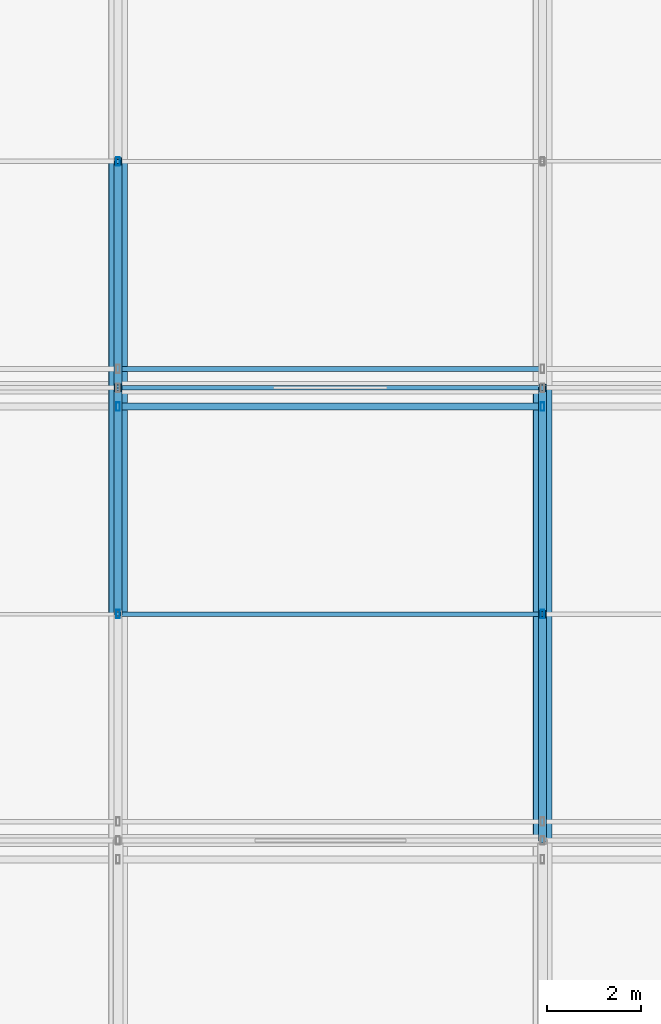
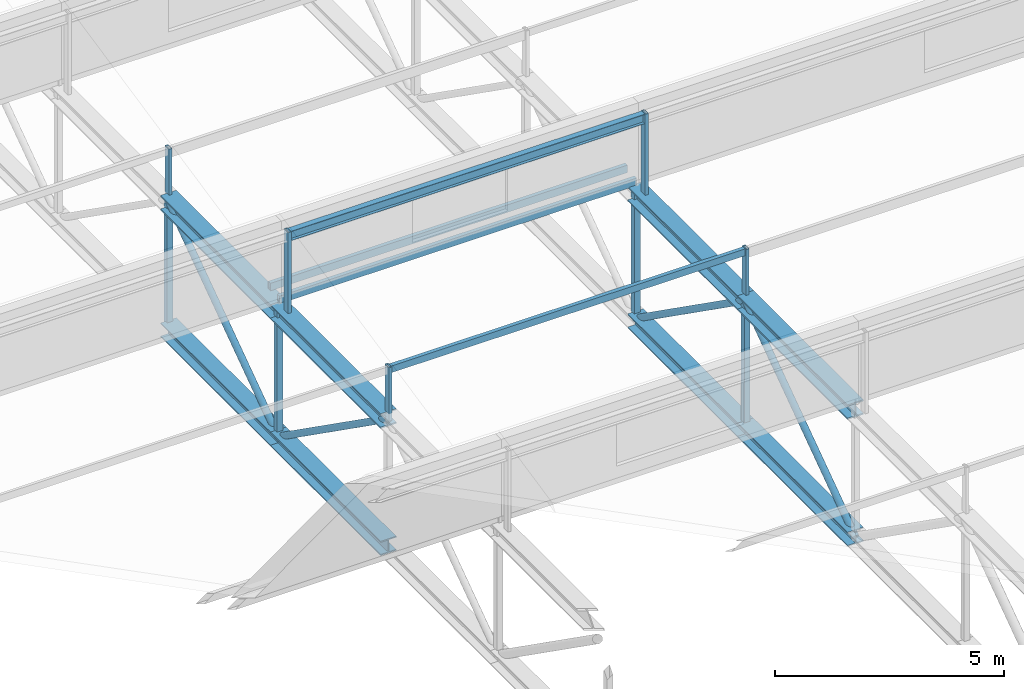
# One storey, part 24 of 136: 17 members, 8 beams.
"""IFC4 building model written with IfcOpenShell, lengths in metres."""

from ifc_helpers import new_model, si_unit, direction, frame, origin, origin_2d, place, context, subcontext, project, spatial, hollow_rectangle, hollow_circle, i_section, extrude, material, material_profile, profile_set, type_object, element, save


model = new_model("IFC4")

# Units and contexts
model_context = context("Model", 3, precision=1e-05, world=origin(), true_north=direction((0.0, 1.0)))
body_context = subcontext(model_context, "Body", "Model", "MODEL_VIEW")
ifc_project = project(units=[si_unit("LENGTHUNIT", "METRE"), si_unit("AREAUNIT", "SQUARE_METRE"), si_unit("VOLUMEUNIT", "CUBIC_METRE"), si_unit("PLANEANGLEUNIT", "RADIAN"), si_unit("MASSUNIT", "GRAM", prefix="KILO")], contexts=[model_context])

# Site, building, storey
site_placement = place(None, origin())
site = spatial("IfcSite", under=ifc_project, at=site_placement, CompositionType="ELEMENT")
building_placement = place(site_placement, origin())
building = spatial("IfcBuilding", under=site, at=building_placement, Name="Kisiwana Market Hall", CompositionType="ELEMENT")
storey_placement = place(building_placement, frame((0.0, 0.0, 16.800048828125)))
storey = spatial("IfcBuildingStorey", under=building, at=storey_placement, Name="L03", CompositionType="ELEMENT", Elevation=16.800048828125)

# Beams
ifc_material_1 = material(Name="Steel S355", Category="steel")
ifc_material_profile_1 = material_profile(ifc_material_1, i_section(OverallWidth=0.394775390625, OverallDepth=0.381103515625, WebThickness=0.018310546875, FlangeThickness=0.0302734375, at=origin_2d()), Name="UC 356x406x235")
ifc_profile_set_1 = profile_set([ifc_material_profile_1], Name="Steel S355")
beam_type_1 = type_object("IfcBeamType", Name="BM-TRUSS-BOT", PredefinedType="USERDEFINED", material=ifc_profile_set_1)
for number, where, z_axis, x_axis, name in (
    (1, (81.0, 50.39990234375, 0.22998046875), (0.0, 1.0, 0.0), (-1.0, 0.0, 0.0), "TR-03 BC panel 4 B-1221"),
    (2, (81.0, 55.199951171875, 0.22998046875), (0.0, 1.0, 0.0), (-1.0, 0.0, 0.0), "TR-03 BC panel 5 B-1222"),
):
    element("IfcBeam", number, at=place(storey_placement, frame(where, z_axis=z_axis, x_axis=x_axis)), inside=storey, type_object=beam_type_1, Name=name, ObjectType="ROOF TRUSS", PredefinedType="USERDEFINED", context=body_context, shape_type="SweptSolid", body=[
        extrude(i_section(OverallWidth=0.394775390625, OverallDepth=0.381103515625, WebThickness=0.018310546875, FlangeThickness=0.0302734375, at=origin_2d()), origin(), (0.0, 0.0, 1.0), 4.800048828125),
    ])
beam_1_placement = place(storey_placement, frame((90.0, 45.60009765625, 0.22998046875), z_axis=(0.0, 1.0, 0.0), x_axis=(-1.0, 0.0, 0.0)))
element("IfcBeam", 3, at=beam_1_placement, inside=storey, type_object=beam_type_1, Name="TR-04 BC panel 3 B-1240", ObjectType="ROOF TRUSS", PredefinedType="USERDEFINED", context=body_context, shape_type="SweptSolid", body=[
    extrude(i_section(OverallWidth=0.394775390625, OverallDepth=0.381103515625, WebThickness=0.018310546875, FlangeThickness=0.0302734375, at=origin_2d()), origin(), (0.0, 0.0, 1.0), 4.7998046875),
])
beam_2_placement = place(storey_placement, frame((90.0, 50.39990234375, 0.22998046875), z_axis=(0.0, 1.0, 0.0), x_axis=(-1.0, 0.0, 0.0)))
element("IfcBeam", 4, at=beam_2_placement, inside=storey, type_object=beam_type_1, Name="TR-04 BC panel 4 B-1241", ObjectType="ROOF TRUSS", PredefinedType="USERDEFINED", context=body_context, shape_type="SweptSolid", body=[
    extrude(i_section(OverallWidth=0.394775390625, OverallDepth=0.381103515625, WebThickness=0.018310546875, FlangeThickness=0.0302734375, at=origin_2d()), origin(), (0.0, 0.0, 1.0), 4.800048828125),
])
ifc_material_2 = material(Name="Steel S355", Category="steel")
ifc_material_profile_2 = material_profile(ifc_material_2, i_section(OverallWidth=0.39892578125, OverallDepth=0.3935546875, WebThickness=0.022705078125, FlangeThickness=0.03662109375, at=origin_2d()), Name="UC 356x406x287")
ifc_profile_set_2 = profile_set([ifc_material_profile_2], Name="Steel S355")
beam_type_2 = type_object("IfcBeamType", Name="BM-TRUSS-TOP", PredefinedType="USERDEFINED", material=ifc_profile_set_2)
for number, where, z_axis, x_axis, name in (
    (5, (81.0, 50.39990234375, 3.619873046875), (0.0, 1.0, 0.0), (-1.0, 0.0, 0.0), "TR-03 TC panel 4 B-1231"),
    (6, (81.0, 55.199951171875, 3.619873046875), (0.0, 1.0, 0.0), (-1.0, 0.0, 0.0), "TR-03 TC panel 5 B-1232"),
):
    element("IfcBeam", number, at=place(storey_placement, frame(where, z_axis=z_axis, x_axis=x_axis)), inside=storey, type_object=beam_type_2, Name=name, ObjectType="ROOF TRUSS", PredefinedType="USERDEFINED", context=body_context, shape_type="SweptSolid", body=[
        extrude(i_section(OverallWidth=0.39892578125, OverallDepth=0.3935546875, WebThickness=0.022705078125, FlangeThickness=0.03662109375, at=origin_2d()), origin(), (0.0, 0.0, 1.0), 4.800048828125),
    ])
beam_3_placement = place(storey_placement, frame((90.0, 45.60009765625, 3.619873046875), z_axis=(0.0, 1.0, 0.0), x_axis=(-1.0, 0.0, 0.0)))
element("IfcBeam", 7, at=beam_3_placement, inside=storey, type_object=beam_type_2, Name="TR-04 TC panel 3 B-1250", ObjectType="ROOF TRUSS", PredefinedType="USERDEFINED", context=body_context, shape_type="SweptSolid", body=[
    extrude(i_section(OverallWidth=0.39892578125, OverallDepth=0.3935546875, WebThickness=0.022705078125, FlangeThickness=0.03662109375, at=origin_2d()), origin(), (0.0, 0.0, 1.0), 4.7998046875),
])
beam_4_placement = place(storey_placement, frame((90.0, 50.39990234375, 3.619873046875), z_axis=(0.0, 1.0, 0.0), x_axis=(-1.0, 0.0, 0.0)))
element("IfcBeam", 8, at=beam_4_placement, inside=storey, type_object=beam_type_2, Name="TR-04 TC panel 4 B-1251", ObjectType="ROOF TRUSS", PredefinedType="USERDEFINED", context=body_context, shape_type="SweptSolid", body=[
    extrude(i_section(OverallWidth=0.39892578125, OverallDepth=0.3935546875, WebThickness=0.022705078125, FlangeThickness=0.03662109375, at=origin_2d()), origin(), (0.0, 0.0, 1.0), 4.800048828125),
])

# Members
ifc_material_3 = material(Name="Steel S355", Category="steel")
ifc_material_profile_3 = material_profile(ifc_material_3, hollow_rectangle(XDim=0.080078125, YDim=0.179931640625, WallThickness=0.00634765625, at=origin_2d()), Name="RHS 180x80x6.3")
ifc_profile_set_3 = profile_set([ifc_material_profile_3], Name="Steel S355")
member_type_1 = type_object("IfcMemberType", Name="MB-CAN-STRUT", PredefinedType="STRUT", material=ifc_profile_set_3)
for number, where, z_axis, x_axis, name in (
    (9, (81.0, 54.800048828125, 3.619873046875), (0.0, 0.0, 1.0), (1.0, 0.0, 0.0), "Sawtooth raker post 205 M-0255"),
    (10, (90.0, 54.800048828125, 3.619873046875), (0.0, 0.0, 1.0), (1.0, 0.0, 0.0), "Sawtooth raker post 208 M-0258"),
):
    element("IfcMember", number, at=place(storey_placement, frame(where, z_axis=z_axis, x_axis=x_axis)), inside=storey, type_object=member_type_1, Name=name, PredefinedType="STRUT", context=body_context, shape_type="SweptSolid", body=[
        extrude(hollow_rectangle(XDim=0.080078125, YDim=0.179931640625, WallThickness=0.00634765625, at=origin_2d()), origin(), (0.0, 0.0, 1.0), 2.355712890625),
    ])
for number, where, z_axis, x_axis, name in (
    (11, (81.0, 50.39990234375, 3.619873046875), (0.0, 0.0, 1.0), (1.0, 0.0, 0.0), "Sawtooth mid-slope raker post 18 M-0063"),
    (12, (90.0, 50.39990234375, 3.619873046875), (0.0, 0.0, 1.0), (1.0, 0.0, 0.0), "Sawtooth mid-slope raker post 19 M-0064"),
    (13, (81.0, 60.0, 3.619873046875), (0.0, 0.0, 1.0), (1.0, 0.0, 0.0), "Sawtooth mid-slope raker post 32 M-0070"),
):
    element("IfcMember", number, at=place(storey_placement, frame(where, z_axis=z_axis, x_axis=x_axis)), inside=storey, type_object=member_type_1, Name=name, PredefinedType="STRUT", context=body_context, shape_type="SweptSolid", body=[
        extrude(hollow_rectangle(XDim=0.080078125, YDim=0.179931640625, WallThickness=0.00634765625, at=origin_2d()), origin(), (0.0, 0.0, 1.0), 1.42041015625),
    ])
ifc_material_4 = material(Name="Steel S355", Category="steel")
ifc_material_profile_4 = material_profile(ifc_material_4, hollow_rectangle(XDim=0.10009765625, YDim=0.179931640625, WallThickness=0.008056640625, at=origin_2d()), Name="RHS 180x100x8")
ifc_profile_set_4 = profile_set([ifc_material_profile_4], Name="Steel S355")
member_type_2 = type_object("IfcMemberType", Name="MB-PURL-RHS180", PredefinedType="PURLIN", material=ifc_profile_set_4)
member_1_placement = place(storey_placement, frame((81.0, 50.39990234375, 4.9462890625), z_axis=(1.0, 0.0, 0.0), x_axis=(0.0, 1.0, 0.0)))
element("IfcMember", 14, at=member_1_placement, inside=storey, type_object=member_type_2, Name="Sawtooth mid-slope roof purlin 26 M-0100", PredefinedType="PURLIN", context=body_context, shape_type="SweptSolid", body=[
    extrude(hollow_rectangle(XDim=0.10009765625, YDim=0.179931640625, WallThickness=0.008056640625, at=origin_2d()), origin(), (0.0, 0.0, 1.0), 9.0),
])
ifc_material_5 = material(Name="Steel S355", Category="steel")
ifc_material_profile_5 = material_profile(ifc_material_5, hollow_rectangle(XDim=0.10009765625, YDim=0.199951171875, WallThickness=0.008056640625, at=origin_2d()), Name="RHS 200x100x8.0")
ifc_profile_set_5 = profile_set([ifc_material_profile_5], Name="Steel S355")
member_type_3 = type_object("IfcMemberType", Name="MB-ROOF-PURLIN1", PredefinedType="PURLIN", material=ifc_profile_set_5)
for number, where, z_axis, x_axis, name in (
    (15, (81.0, 55.199951171875, 3.90087890625), (1.0, 0.0, 0.0), (0.0, 1.0, 0.0), "Sawtooth roof purlin 230 M-0155"),
    (16, (81.0, 55.60009765625, 4.0009765625), (1.0, 0.0, 0.0), (0.0, 1.0, 0.0), "Sawtooth roof purlin 273 M-0174"),
):
    element("IfcMember", number, at=place(storey_placement, frame(where, z_axis=z_axis, x_axis=x_axis)), inside=storey, type_object=member_type_3, Name=name, PredefinedType="PURLIN", context=body_context, shape_type="SweptSolid", body=[
        extrude(hollow_rectangle(XDim=0.10009765625, YDim=0.199951171875, WallThickness=0.008056640625, at=origin_2d()), origin(), (0.0, 0.0, 1.0), 9.0),
    ])
ifc_material_6 = material(Name="Steel S355", Category="steel")
ifc_material_profile_6 = material_profile(ifc_material_6, i_section(OverallWidth=0.146484375, OverallDepth=0.256103515625, WebThickness=0.00634765625, FlangeThickness=0.010986328125, at=origin_2d()), Name="UB 254x146x37")
ifc_profile_set_6 = profile_set([ifc_material_profile_6], Name="Steel S355")
member_type_4 = type_object("IfcMemberType", Name="MB-ROOF-PURLIN2", PredefinedType="PURLIN", material=ifc_profile_set_6)
member_2_placement = place(storey_placement, frame((81.0, 54.800048828125, 5.843505859375), z_axis=(1.0, 0.0, 0.0), x_axis=(0.0, 1.0, 0.0)))
element("IfcMember", 17, at=member_2_placement, inside=storey, type_object=member_type_4, Name="Sawtooth roof purlin 229 M-0154", PredefinedType="PURLIN", context=body_context, shape_type="SweptSolid", body=[
    extrude(i_section(OverallWidth=0.146484375, OverallDepth=0.256103515625, WebThickness=0.00634765625, FlangeThickness=0.010986328125, at=origin_2d()), origin(), (0.0, 0.0, 1.0), 9.0),
])
ifc_material_7 = material(Name="Steel S355", Category="steel")
ifc_material_profile_7 = material_profile(ifc_material_7, hollow_circle(Radius=0.084228515625, WallThickness=0.010009765625, at=origin_2d()), Name="CHS 168.3x10.0")
ifc_profile_set_7 = profile_set([ifc_material_profile_7], Name="Steel S355")
member_type_5 = type_object("IfcMemberType", Name="MB-TR-DIAG168", PredefinedType="BRACE", material=ifc_profile_set_7)
for number, where, z_axis, x_axis, name in (
    (18, (81.0, 50.39990234375, 3.619873046875), (0.0, 0.816837735077, -0.576867501732), (-1.0, 0.0, 0.0), "TR-03 diagonal 4 M-0377"),
    (19, (81.0, 55.199951171875, 0.22998046875), (0.0, 0.816837735077, 0.576867501732), (-1.0, 0.0, 0.0), "TR-03 diagonal 5 M-0378"),
):
    element("IfcMember", number, at=place(storey_placement, frame(where, z_axis=z_axis, x_axis=x_axis)), inside=storey, type_object=member_type_5, Name=name, PredefinedType="BRACE", context=body_context, shape_type="SweptSolid", body=[
        extrude(hollow_circle(Radius=0.084228515625, WallThickness=0.010009765625, at=origin_2d()), origin(), (0.0, 0.0, 1.0), 5.87646484375),
    ])
member_3_placement = place(storey_placement, frame((90.0, 45.60009765625, 0.22998046875), z_axis=(0.0, 0.816823908826, 0.576887079046), x_axis=(-1.0, 0.0, 0.0)))
element("IfcMember", 20, at=member_3_placement, inside=storey, type_object=member_type_5, Name="TR-04 diagonal 3 M-0395", PredefinedType="BRACE", context=body_context, shape_type="SweptSolid", body=[
    extrude(hollow_circle(Radius=0.084228515625, WallThickness=0.010009765625, at=origin_2d()), origin(), (0.0, 0.0, 1.0), 5.876220703125),
])
member_4_placement = place(storey_placement, frame((90.0, 50.39990234375, 3.619873046875), z_axis=(0.0, 0.816837735077, -0.576867501732), x_axis=(-1.0, 0.0, 0.0)))
element("IfcMember", 21, at=member_4_placement, inside=storey, type_object=member_type_5, Name="TR-04 diagonal 4 M-0396", PredefinedType="BRACE", context=body_context, shape_type="SweptSolid", body=[
    extrude(hollow_circle(Radius=0.084228515625, WallThickness=0.010009765625, at=origin_2d()), origin(), (0.0, 0.0, 1.0), 5.87646484375),
])
ifc_material_8 = material(Name="Steel S355", Category="steel")
ifc_material_profile_8 = material_profile(ifc_material_8, hollow_rectangle(XDim=0.14990234375, YDim=0.14990234375, WallThickness=0.008056640625, at=origin_2d()), Name="SHS 150x150x8.0")
ifc_profile_set_8 = profile_set([ifc_material_profile_8], Name="Steel S355")
member_type_6 = type_object("IfcMemberType", Name="MB-TR-STRUT200", PredefinedType="STRUT", material=ifc_profile_set_8)
for number, where, z_axis, x_axis, name in (
    (22, (81.0, 55.199951171875, 0.22998046875), (0.0, 0.0, 1.0), (1.0, 0.0, 0.0), "TR-03 vertical strut 5 M-0387"),
    (23, (81.0, 60.0, 0.22998046875), (0.0, 0.0, 1.0), (1.0, 0.0, 0.0), "TR-03 vertical strut 6 M-0388"),
    (24, (90.0, 50.39990234375, 0.22998046875), (0.0, 0.0, 1.0), (1.0, 0.0, 0.0), "TR-04 vertical strut 4 M-0405"),
    (25, (90.0, 55.199951171875, 0.22998046875), (0.0, 0.0, 1.0), (1.0, 0.0, 0.0), "TR-04 vertical strut 5 M-0406"),
):
    element("IfcMember", number, at=place(storey_placement, frame(where, z_axis=z_axis, x_axis=x_axis)), inside=storey, type_object=member_type_6, Name=name, PredefinedType="STRUT", context=body_context, shape_type="SweptSolid", body=[
        extrude(hollow_rectangle(XDim=0.14990234375, YDim=0.14990234375, WallThickness=0.008056640625, at=origin_2d()), origin(), (0.0, 0.0, 1.0), 3.389892578125),
    ])

save(model, "model.ifc")
